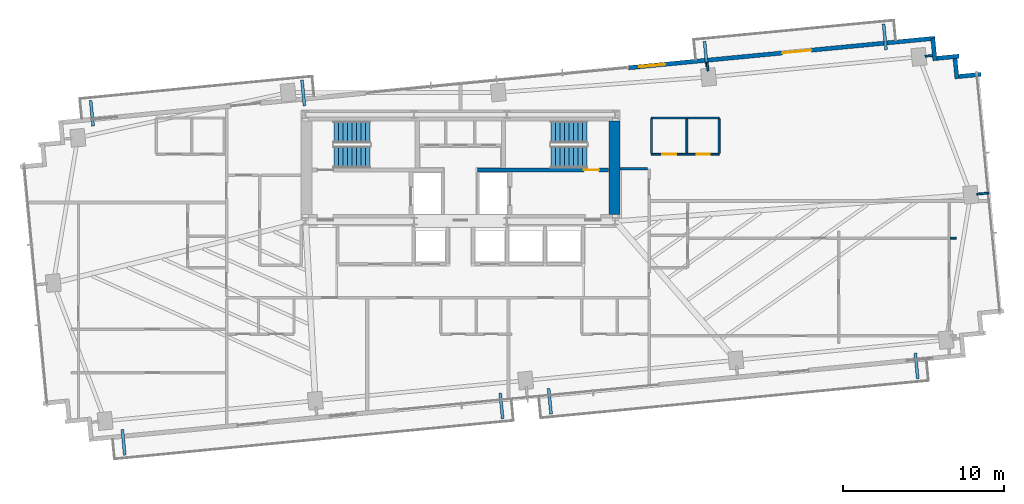
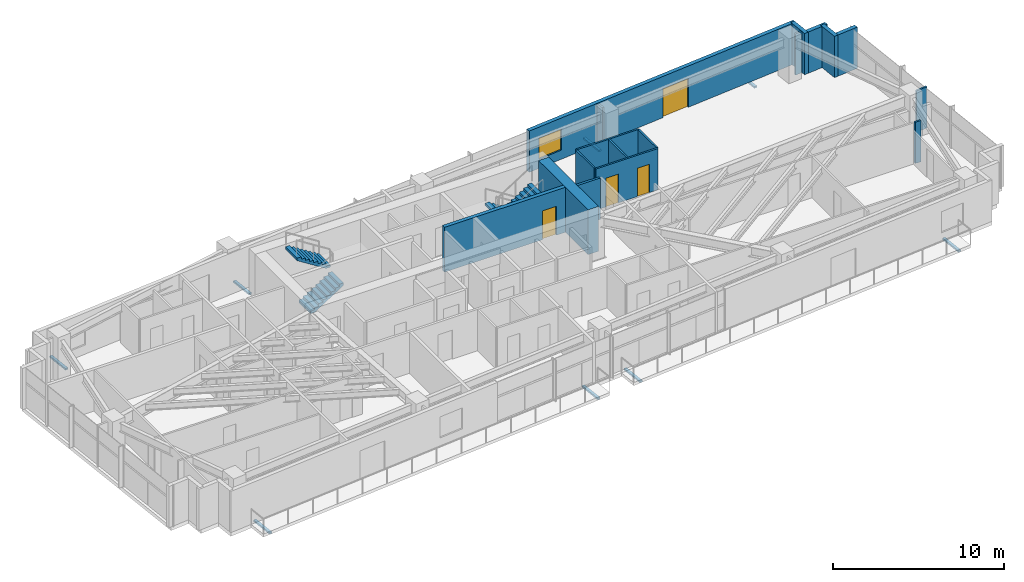
# One storey, part 24 of 27: 17 walls, 8 discrete accessories, 4 doors, 4 stair flights, 1 window, 5 openings, 2 elements without a shape of their own.
"""IFC4 building model written with IfcOpenShell, lengths in metres."""

from ifc_helpers import new_model, si_unit, direction, frame, frame_2d, origin, origin_2d, place, context, subcontext, project, spatial, polyline, rectangle, outline, extrude, source, transform, mapped, material, layer, layer_set, type_object, type_shapes, element, fill, aggregate, save


model = new_model("IFC4")

# Units and contexts
model_context = context("Model", 3, precision=1e-05, world=origin(), true_north=direction((0.0, 1.0)))
body_context = subcontext(model_context, "Body", "Model", "MODEL_VIEW")
ifc_project = project(units=[si_unit("LENGTHUNIT", "METRE"), si_unit("AREAUNIT", "SQUARE_METRE"), si_unit("VOLUMEUNIT", "CUBIC_METRE"), si_unit("PLANEANGLEUNIT", "RADIAN"), si_unit("MASSUNIT", "GRAM", prefix="KILO")], contexts=[model_context])

# Site, building, storey
site_placement = place(None, origin())
site = spatial("IfcSite", under=ifc_project, at=site_placement, CompositionType="ELEMENT")
building_placement = place(site_placement, origin())
building = spatial("IfcBuilding", under=site, at=building_placement, Name="Astriad Promenade Condominiums", CompositionType="ELEMENT")
storey_placement = place(building_placement, frame((0.0, 0.0, 109.800048828125)))
storey = spatial("IfcBuildingStorey", under=building, at=storey_placement, Name="L31", CompositionType="ELEMENT", Elevation=109.800048828125)

# Wall
ifc_material_1 = material(Name="Concrete C60/75", Category="concrete")
ifc_layer_1 = layer(ifc_material_1, 0.699951171875)
ifc_layer_set_1 = layer_set([ifc_layer_1], Name="Concrete C60/75")
wall_type_1 = type_object("IfcWallType", Name="CW-SHEAR-700", PredefinedType="SHEAR", material=ifc_layer_set_1)
wall_1_placement = place(storey_placement, frame((45.550048828125, 17.802001953125, 0.0), z_axis=(0.0, 0.0, 1.0), x_axis=(0.0, 1.0, 0.0)))
element("IfcWall", 1, at=wall_1_placement, inside=storey, type_object=wall_type_1, Name="CW-CORE-E-L31", PredefinedType="SHEAR", context=body_context, shape_type="SweptSolid", body=[
    extrude(rectangle(XDim=5.7958984375, YDim=0.699951171875, at=frame_2d((2.89794921875, 0.0))), origin(), (0.0, 0.0, 1.0), 3.199951171875),
])

# Wall, opening, door
ifc_material_2 = material(Name="Concrete C50/60", Category="concrete")
ifc_layer_2 = layer(ifc_material_2, 0.25)
ifc_layer_set_2 = layer_set([ifc_layer_2], Name="Concrete C50/60")
wall_type_2 = type_object("IfcWallType", Name="WALL-CORE-INT-250", PredefinedType="SOLIDWALL", material=ifc_layer_set_2)
wall_2_placement = place(storey_placement, frame((37.050048828125, 20.574951171875, 0.0), z_axis=(0.0, 0.0, 1.0), x_axis=(1.0, 0.0, 0.0)))
wall_2 = element("IfcWall", 2, at=wall_2_placement, inside=storey, type_object=wall_type_2, Name="CW-INT-H2-L31", PredefinedType="SOLIDWALL", context=body_context, shape_type="SweptSolid", body=[
    extrude(rectangle(XDim=8.14794921875, YDim=0.25, at=frame_2d((4.073974609375, 0.0))), origin(), (0.0, 0.0, 1.0), 3.199951171875),
])
opening_1_placement = place(wall_2_placement, frame((6.60009765625, 0.0, 0.0)))
opening_1 = element("IfcOpeningElement", 3, at=opening_1_placement, cuts=wall_2, Name="Opening FD90-ST-095", PredefinedType="OPENING", context=body_context, shape_type="SweptSolid", body=[
    extrude(rectangle(XDim=0.949951171875, YDim=2.06005859375, at=frame_2d((0.47509765625, 1.030029296875))), frame((0.0, 0.135009765625, 0.0), z_axis=(0.0, -1.0, 0.0), x_axis=(1.0, 0.0, 0.0)), (0.0, 0.0, 1.0), 0.27001953125),
])
ifc_material_3 = material(Name="Fire-Rated Hollow Metal Stair Door")
door_type_1 = type_object("IfcDoorType", Name="FD90-ST-095", OperationType="NOTDEFINED", PredefinedType="DOOR", material=ifc_material_3)
shared_shape_1 = source(origin(), body_context, "Body", "SweptSolid", [
    extrude(rectangle(XDim=0.949951171875, YDim=2.06005859375, at=frame_2d((0.47509765625, 1.030029296875))), frame((0.0, 0.02490234375, 0.0), z_axis=(0.0, -1.0, 0.0), x_axis=(1.0, 0.0, 0.0)), (0.0, 0.0, 1.0), 0.050048828125),
])
type_shapes(door_type_1, [shared_shape_1])
door_1_placement = place(opening_1_placement, origin())
door_1 = element("IfcDoor", 4, at=door_1_placement, inside=storey, type_object=door_type_1, Name="D-ST2-L31", OperationType="SINGLE_SWING_LEFT", OverallHeight=2.06005859375, OverallWidth=0.949951171875, PredefinedType="DOOR", context=body_context, shape_type="MappedRepresentation", body=[
    mapped(shared_shape_1, transform((0.0, 0.0, 0.0), scale=1.0)),
])
fill(opening_1, door_1)

# Wall
ifc_material_4 = material(Name="Fire-Rated Gypsum Partition")
ifc_layer_3 = layer(ifc_material_4, 0.159912109375)
ifc_layer_set_3 = layer_set([ifc_layer_3], Name="Fire-Rated Gypsum Partition")
wall_type_3 = type_object("IfcWallType", Name="WALL-CORR-160", PredefinedType="PARTITIONING", material=ifc_layer_set_3)
wall_3_placement = place(storey_placement, frame((45.902099609375, 20.64990234375, 0.0), z_axis=(0.0, 0.0, 1.0), x_axis=(1.0, 0.0, 0.0)))
element("IfcWall", 5, at=wall_3_placement, inside=storey, type_object=wall_type_3, Name="PT-Z3E-N-L31", PredefinedType="PARTITIONING", context=body_context, shape_type="SweptSolid", body=[
    extrude(rectangle(XDim=1.7158203125, YDim=0.159912109375, at=frame_2d((0.85791015625, 0.0))), origin(), (0.0, 0.0, 1.0), 2.93994140625),
])

# Wall, openings, door, window
ifc_material_5 = material(Name="Precast concrete C50/60", Category="concrete")
ifc_layer_4 = layer(ifc_material_5, 0.260009765625)
ifc_layer_set_4 = layer_set([ifc_layer_4], Name="Precast concrete C50/60")
wall_type_4 = type_object("IfcWallType", Name="WALL-EXT-TWR-260", PredefinedType="STANDARD", material=ifc_layer_set_4)
wall_4_placement = place(storey_placement, frame((46.40625, 26.90966796875, 0.0), z_axis=(0.0, 0.0, 1.0), x_axis=(0.995396638587, 0.095841180552, 0.0)))
wall_4 = element("IfcWall", 6, at=wall_4_placement, inside=storey, type_object=wall_type_4, Name="W-EXT-L31-N2", PredefinedType="STANDARD", context=body_context, shape_type="SweptSolid", body=[
    extrude(rectangle(XDim=19.110107421875, YDim=0.260009765625, at=frame_2d((9.55517578125, 0.0))), origin(), (0.0, 0.0, 1.0), 2.93994140625),
])
opening_2_placement = place(wall_4_placement, frame((9.60009765625, 0.0, 0.0)))
opening_2 = element("IfcOpeningElement", 7, at=opening_2_placement, cuts=wall_4, Name="Opening BD-1822-SLD", PredefinedType="OPENING", context=body_context, shape_type="SweptSolid", body=[
    extrude(rectangle(XDim=1.800048828125, YDim=2.06005859375, at=frame_2d((0.89990234375, 1.030029296875))), frame((0.0, 0.139892578125, 0.0), z_axis=(0.0, -1.0, 0.0), x_axis=(1.0, 0.0, 0.0)), (0.0, 0.0, 1.0), 0.280029296875),
])
opening_3_placement = place(wall_4_placement, frame((0.699951171875, 0.0, 0.64990234375)))
opening_3 = element("IfcOpeningElement", 8, at=opening_3_placement, cuts=wall_4, Name="Opening WIN-TWR-1620", PredefinedType="OPENING", context=body_context, shape_type="SweptSolid", body=[
    extrude(rectangle(XDim=1.60009765625, YDim=1.5, at=frame_2d((0.800048828125, 0.75))), frame((0.0, 0.139892578125, 0.0), z_axis=(0.0, -1.0, 0.0), x_axis=(1.0, 0.0, 0.0)), (0.0, 0.0, 1.0), 0.280029296875),
])
ifc_material_6 = material(Name="Thermally Broken Aluminium Sliding Balcony Door", Category="aluminium")
door_type_2 = type_object("IfcDoorType", Name="BD-1822-SLD", OperationType="NOTDEFINED", PredefinedType="DOOR", material=ifc_material_6)
shared_shape_2 = source(origin(), body_context, "Body", "SweptSolid", [
    extrude(rectangle(XDim=1.800048828125, YDim=2.06005859375, at=frame_2d((0.89990234375, 1.030029296875))), frame((0.0, 0.02490234375, 0.0), z_axis=(0.0, -1.0, 0.0), x_axis=(1.0, 0.0, 0.0)), (0.0, 0.0, 1.0), 0.050048828125),
])
type_shapes(door_type_2, [shared_shape_2])
door_2_placement = place(opening_2_placement, origin())
door_2 = element("IfcDoor", 9, at=door_2_placement, inside=storey, type_object=door_type_2, Name="BD-L31-NE", OperationType="SLIDING_TO_RIGHT", OverallHeight=2.06005859375, OverallWidth=1.800048828125, PredefinedType="DOOR", context=body_context, shape_type="MappedRepresentation", body=[
    mapped(shared_shape_2, transform((0.0, 0.0, 0.0), scale=1.0)),
])
fill(opening_2, door_2)
ifc_material_7 = material(Name="Dark Tinted Triple-Glazed Aluminium Window", Category="aluminium")
window_type = type_object("IfcWindowType", Name="WIN-TWR-1620", PartitioningType="SINGLE_PANEL", PredefinedType="WINDOW", material=ifc_material_7)
shared_shape_3 = source(origin(), body_context, "Body", "SweptSolid", [
    extrude(rectangle(XDim=1.60009765625, YDim=1.5, at=frame_2d((0.800048828125, 0.75))), frame((0.0, 0.030029296875, 0.0), z_axis=(0.0, -1.0, 0.0), x_axis=(1.0, 0.0, 0.0)), (0.0, 0.0, 1.0), 0.06005859375),
])
type_shapes(window_type, [shared_shape_3])
window_placement = place(opening_3_placement, origin())
window = element("IfcWindow", 10, at=window_placement, inside=storey, type_object=window_type, Name="WIN-L31-NE", OverallHeight=1.5, OverallWidth=1.60009765625, PartitioningType="SINGLE_PANEL", PredefinedType="WINDOW", context=body_context, shape_type="MappedRepresentation", body=[
    mapped(shared_shape_3, transform((0.0, 0.0, 0.0), scale=1.0)),
])
fill(opening_3, window)

# Walls
for number, where, z_axis, x_axis, name in (
    (11, (65.297607421875, 28.74365234375, 0.0), (0.0, 0.0, 1.0), (0.095725744959, -0.99540774648, 0.0), "W-SER-L31-09"),
    (12, (65.533203125, 27.49560546875, 0.0), (0.0, 0.0, 1.0), (0.99540774648, 0.095725744959, 0.0), "W-SER-L31-10"),
):
    element("IfcWall", number, at=place(storey_placement, frame(where, z_axis=z_axis, x_axis=x_axis)), inside=storey, type_object=wall_type_4, Name=name, PredefinedType="STANDARD", context=body_context, shape_type="SweptSolid", body=[
        extrude(rectangle(XDim=1.39501953125, YDim=0.260009765625, at=frame_2d((0.697509765625, 0.0))), origin(), (0.0, 0.0, 1.0), 2.93994140625),
    ])
wall_5_placement = place(storey_placement, frame((66.66162109375, 27.619140625, 0.0), z_axis=(0.0, 0.0, 1.0), x_axis=(0.095742423056, -0.99540614245, 0.0)))
element("IfcWall", 13, at=wall_5_placement, inside=storey, type_object=wall_type_4, Name="W-SER-L31-11", PredefinedType="STANDARD", context=body_context, shape_type="SweptSolid", body=[
    extrude(rectangle(XDim=1.394775390625, YDim=0.260009765625, at=frame_2d((0.697265625, 0.0))), origin(), (0.0, 0.0, 1.0), 2.93994140625),
])
wall_6_placement = place(storey_placement, frame((66.897216796875, 26.37109375, 0.0), z_axis=(0.0, 0.0, 1.0), x_axis=(0.995391056452, 0.09589913835, 0.0)))
element("IfcWall", 14, at=wall_6_placement, inside=storey, type_object=wall_type_4, Name="W-SER-L31-12", PredefinedType="STANDARD", context=body_context, shape_type="SweptSolid", body=[
    extrude(rectangle(XDim=1.39501953125, YDim=0.260009765625, at=frame_2d((0.697509765625, 0.0))), origin(), (0.0, 0.0, 1.0), 2.93994140625),
])
ifc_material_8 = material(Name="Acoustic Metal-Stud Gypsum Partition")
ifc_layer_5 = layer(ifc_material_8, 0.1201171875)
ifc_layer_set_5 = layer_set([ifc_layer_5], Name="Acoustic Metal-Stud Gypsum Partition")
wall_type_5 = type_object("IfcWallType", Name="WALL-PART-120", PredefinedType="PARTITIONING", material=ifc_layer_set_5)
wall_7_placement = place(storey_placement, frame((66.3779296875, 16.35009765625, 0.0), z_axis=(0.0, 0.0, 1.0), x_axis=(1.0, 0.0, 0.0)))
element("IfcWall", 15, at=wall_7_placement, inside=storey, type_object=wall_type_5, Name="PT-L31-E1-WDN2-S2", PredefinedType="PARTITIONING", context=body_context, shape_type="SweptSolid", body=[
    extrude(rectangle(XDim=0.378173828125, YDim=0.1201171875, at=frame_2d((0.18896484375, 0.0))), origin(), (0.0, 0.0, 1.0), 2.93994140625),
])

# Wall, openings, doors
wall_8_placement = place(storey_placement, frame((47.85009765625, 21.550048828125, 0.0), z_axis=(0.0, 0.0, 1.0), x_axis=(1.0, 0.0, 0.0)))
wall_8 = element("IfcWall", 16, at=wall_8_placement, inside=storey, type_object=wall_type_5, Name="PT-L31-E2-PH", PredefinedType="PARTITIONING", context=body_context, shape_type="SweptSolid", body=[
    extrude(rectangle(XDim=4.199951171875, YDim=0.1201171875, at=frame_2d((2.10009765625, 0.0))), origin(), (0.0, 0.0, 1.0), 2.93994140625),
])
opening_4_placement = place(wall_8_placement, frame((0.675048828125, 0.0, 0.0)))
opening_4 = element("IfcOpeningElement", 17, at=opening_4_placement, cuts=wall_8, Name="Opening D-INT-085", PredefinedType="OPENING", context=body_context, shape_type="SweptSolid", body=[
    extrude(rectangle(XDim=0.85009765625, YDim=2.050048828125, at=frame_2d((0.425048828125, 1.02490234375))), frame((0.0, 0.070068359375, 0.0), z_axis=(0.0, -1.0, 0.0), x_axis=(1.0, 0.0, 0.0)), (0.0, 0.0, 1.0), 0.14013671875),
])
opening_5_placement = place(wall_8_placement, frame((2.800048828125, 0.0, 0.0)))
opening_5 = element("IfcOpeningElement", 18, at=opening_5_placement, cuts=wall_8, Name="Opening D-WET-080", PredefinedType="OPENING", context=body_context, shape_type="SweptSolid", body=[
    extrude(rectangle(XDim=0.800048828125, YDim=2.02001953125, at=frame_2d((0.39990234375, 1.010009765625))), frame((0.0, 0.070068359375, 0.0), z_axis=(0.0, -1.0, 0.0), x_axis=(1.0, 0.0, 0.0)), (0.0, 0.0, 1.0), 0.14013671875),
])
ifc_material_9 = material(Name="Moisture-Resistant Timber Bathroom Door", Category="wood")
door_type_3 = type_object("IfcDoorType", Name="D-WET-080", OperationType="NOTDEFINED", PredefinedType="DOOR", material=ifc_material_9)
shared_shape_4 = source(origin(), body_context, "Body", "SweptSolid", [
    extrude(rectangle(XDim=0.800048828125, YDim=2.02001953125, at=frame_2d((0.39990234375, 1.010009765625))), frame((0.0, 0.02490234375, 0.0), z_axis=(0.0, -1.0, 0.0), x_axis=(1.0, 0.0, 0.0)), (0.0, 0.0, 1.0), 0.050048828125),
])
type_shapes(door_type_3, [shared_shape_4])
door_3_placement = place(opening_5_placement, origin())
door_3 = element("IfcDoor", 19, at=door_3_placement, inside=storey, type_object=door_type_3, Name="D-BTH-L31-E2", OperationType="SINGLE_SWING_LEFT", OverallHeight=2.02001953125, OverallWidth=0.800048828125, PredefinedType="DOOR", context=body_context, shape_type="MappedRepresentation", body=[
    mapped(shared_shape_4, transform((0.0, 0.0, 0.0), scale=1.0)),
])
fill(opening_5, door_3)
ifc_material_10 = material(Name="Painted Solid-Core Timber Room Door", Category="wood")
door_type_4 = type_object("IfcDoorType", Name="D-INT-085", OperationType="NOTDEFINED", PredefinedType="DOOR", material=ifc_material_10)
shared_shape_5 = source(origin(), body_context, "Body", "SweptSolid", [
    extrude(rectangle(XDim=0.85009765625, YDim=2.050048828125, at=frame_2d((0.425048828125, 1.02490234375))), frame((0.0, 0.02490234375, 0.0), z_axis=(0.0, -1.0, 0.0), x_axis=(1.0, 0.0, 0.0)), (0.0, 0.0, 1.0), 0.050048828125),
])
type_shapes(door_type_4, [shared_shape_5])
door_4_placement = place(opening_4_placement, origin())
door_4 = element("IfcDoor", 20, at=door_4_placement, inside=storey, type_object=door_type_4, Name="D-KIT-L31-E2", OperationType="SINGLE_SWING_RIGHT", OverallHeight=2.050048828125, OverallWidth=0.85009765625, PredefinedType="DOOR", context=body_context, shape_type="MappedRepresentation", body=[
    mapped(shared_shape_5, transform((0.0, 0.0, 0.0), scale=1.0)),
])
fill(opening_4, door_4)

# Walls
wall_9_placement = place(storey_placement, frame((47.85009765625, 23.800048828125, 0.0), z_axis=(0.0, 0.0, 1.0), x_axis=(1.0, 0.0, 0.0)))
element("IfcWall", 21, at=wall_9_placement, inside=storey, type_object=wall_type_5, Name="PT-L31-E2-PHN", PredefinedType="PARTITIONING", context=body_context, shape_type="SweptSolid", body=[
    extrude(rectangle(XDim=4.199951171875, YDim=0.1201171875, at=frame_2d((2.10009765625, 0.0))), origin(), (0.0, 0.0, 1.0), 2.93994140625),
])
for number, where, z_axis, x_axis, name in (
    (22, (47.85009765625, 21.612060546875, 0.0), (0.0, 0.0, 1.0), (0.0, 1.0, 0.0), "PT-L31-E2-PK1"),
    (23, (50.050048828125, 21.612060546875, 0.0), (0.0, 0.0, 1.0), (0.0, 1.0, 0.0), "PT-L31-E2-PK2"),
    (24, (52.050048828125, 21.612060546875, 0.0), (0.0, 0.0, 1.0), (0.0, 1.0, 0.0), "PT-L31-E2-PK3"),
):
    element("IfcWall", number, at=place(storey_placement, frame(where, z_axis=z_axis, x_axis=x_axis)), inside=storey, type_object=wall_type_5, Name=name, PredefinedType="PARTITIONING", context=body_context, shape_type="SweptSolid", body=[
        extrude(rectangle(XDim=2.1259765625, YDim=0.1201171875, at=frame_2d((1.06298828125, 0.0))), origin(), (0.0, 0.0, 1.0), 2.93994140625),
    ])
wall_10_placement = place(storey_placement, frame((51.35791015625, 26.71337890625, 0.0), z_axis=(0.0, 0.0, 1.0), x_axis=(-0.095772948675, 0.995403205893, 0.0)))
element("IfcWall", 25, at=wall_10_placement, inside=storey, type_object=wall_type_5, Name="PT-PIL-L31-PC09-16", PredefinedType="PARTITIONING", context=body_context, shape_type="SweptSolid", body=[
    extrude(rectangle(XDim=0.537841796875, YDim=0.1201171875, at=frame_2d((0.26904296875, 0.0))), origin(), (0.0, 0.0, 1.0), 2.93994140625),
])
wall_11_placement = place(storey_placement, frame((64.812255859375, 27.626953125, 0.0), z_axis=(0.0, 0.0, 1.0), x_axis=(0.995389482415, 0.095915474751, 0.0)))
element("IfcWall", 26, at=wall_11_placement, inside=storey, type_object=wall_type_5, Name="PT-PIL-L31-PC10-17", PredefinedType="PARTITIONING", context=body_context, shape_type="SweptSolid", body=[
    extrude(rectangle(XDim=0.458251953125, YDim=0.1201171875, at=frame_2d((0.22900390625, 0.0))), origin(), (0.0, 0.0, 1.0), 2.93994140625),
])
wall_12_placement = place(storey_placement, frame((68.026611328125, 19.07568359375, 0.0), z_axis=(0.0, 0.0, 1.0), x_axis=(0.995377786728, 0.096036772582, 0.0)))
element("IfcWall", 27, at=wall_12_placement, inside=storey, type_object=wall_type_5, Name="PT-PIL-L31-PC12-19", PredefinedType="PARTITIONING", context=body_context, shape_type="SweptSolid", body=[
    extrude(rectangle(XDim=0.760009765625, YDim=0.1201171875, at=frame_2d((0.3798828125, 0.0))), origin(), (0.0, 0.0, 1.0), 2.93994140625),
])

# Stair, stair flights
stair_type = type_object("IfcStairType", Name="STR-CORE-1350", PredefinedType="HALF_TURN_STAIR", material=ifc_material_2)
stair_1_placement = place(storey_placement, origin())
stair_1 = element("IfcStair", 28, at=stair_1_placement, inside=storey, type_object=stair_type, Name="L31 Enclosed Core Exit Stair ST-1", PredefinedType="HALF_TURN_STAIR")
stair_flight_type = type_object("IfcStairFlightType", Name="SFL-CORE-1350", PredefinedType="STRAIGHT", material=ifc_material_2)
shared_shape_6 = source(origin(), body_context, "Body", "SweptSolid", [
    extrude(outline(polyline([(0.0, 0.0), (0.0, 0.177734375), (0.280029296875, 0.177734375), (0.280029296875, 0.35546875), (0.56005859375, 0.35546875), (0.56005859375, 0.533447265625), (0.840087890625, 0.533447265625), (0.840087890625, 0.711181640625), (1.1201171875, 0.711181640625), (1.1201171875, 0.888916015625), (1.39990234375, 0.888916015625), (1.39990234375, 1.066650390625), (1.679931640625, 1.066650390625), (1.679931640625, 1.244384765625), (1.9599609375, 1.244384765625), (1.9599609375, 1.422119140625), (2.239990234375, 1.422119140625), (2.239990234375, 1.60009765625), (2.239990234375, 1.24462890625), (0.27978515625, 0.0), (0.0, 0.0)])), frame((0.0, 0.675048828125, 0.0), z_axis=(0.0, -1.0, 0.0), x_axis=(1.0, 0.0, 0.0)), (0.0, 0.0, 1.0), 1.35009765625),
])
type_shapes(stair_flight_type, [shared_shape_6])
stair_flight_1_placement = place(storey_placement, frame((28.14990234375, 21.375, 0.0), z_axis=(0.0, 0.0, 1.0), x_axis=(1.0, 0.0, 0.0)))
stair_flight_1 = element("IfcStairFlight", 29, at=stair_flight_1_placement, type_object=stair_flight_type, Name="ST-1 flight 1", NumberOfRisers=9, NumberOfTreads=8, PredefinedType="STRAIGHT", RiserHeight=0.177777778, TreadLength=0.28, context=body_context, shape_type="MappedRepresentation", body=[
    mapped(shared_shape_6, transform((0.0, 0.0, 0.0), scale=1.0)),
])
stair_flight_2_placement = place(storey_placement, frame((30.389892578125, 22.925048828125, 1.599853515625), z_axis=(0.0, 0.0, 1.0), x_axis=(-1.0, 0.0, 0.0)))
stair_flight_2 = element("IfcStairFlight", 30, at=stair_flight_2_placement, type_object=stair_flight_type, Name="ST-1 flight 2", NumberOfRisers=9, NumberOfTreads=8, PredefinedType="STRAIGHT", RiserHeight=0.177777778, TreadLength=0.28, context=body_context, shape_type="MappedRepresentation", body=[
    mapped(shared_shape_6, transform((0.0, 0.0, 0.0), scale=1.0)),
])
aggregate(stair_1, [stair_flight_1, stair_flight_2])

stair_2_placement = place(storey_placement, origin())
stair_2 = element("IfcStair", 31, at=stair_2_placement, inside=storey, type_object=stair_type, Name="L31 Enclosed Core Exit Stair ST-2", PredefinedType="HALF_TURN_STAIR")
stair_flight_3_placement = place(storey_placement, frame((43.85009765625, 22.925048828125, 0.0), z_axis=(0.0, 0.0, 1.0), x_axis=(-1.0, 0.0, 0.0)))
stair_flight_3 = element("IfcStairFlight", 32, at=stair_flight_3_placement, type_object=stair_flight_type, Name="ST-2 flight 1", NumberOfRisers=9, NumberOfTreads=8, PredefinedType="STRAIGHT", RiserHeight=0.177777778, TreadLength=0.28, context=body_context, shape_type="MappedRepresentation", body=[
    mapped(shared_shape_6, transform((0.0, 0.0, 0.0), scale=1.0)),
])
stair_flight_4_placement = place(storey_placement, frame((41.610107421875, 21.375, 1.599853515625), z_axis=(0.0, 0.0, 1.0), x_axis=(1.0, 0.0, 0.0)))
stair_flight_4 = element("IfcStairFlight", 33, at=stair_flight_4_placement, type_object=stair_flight_type, Name="ST-2 flight 2", NumberOfRisers=9, NumberOfTreads=8, PredefinedType="STRAIGHT", RiserHeight=0.177777778, TreadLength=0.28, context=body_context, shape_type="MappedRepresentation", body=[
    mapped(shared_shape_6, transform((0.0, 0.0, 0.0), scale=1.0)),
])
aggregate(stair_2, [stair_flight_3, stair_flight_4])

# Discrete accessories
ifc_material_11 = material(Name="Steel ASTM A572 Grade 50", Category="steel")
discrete_accessory_type = type_object("IfcDiscreteAccessoryType", Name="STEEL BALCONY OUTRIGGER BRACKET", PredefinedType="BRACKET", material=ifc_material_11)
shared_shape_7 = source(origin(), body_context, "Body", "SweptSolid", [
    extrude(rectangle(XDim=1.60009765625, YDim=0.179931640625, at=origin_2d()), origin(), (0.0, 0.0, 1.0), 0.1220703125),
])
type_shapes(discrete_accessory_type, [shared_shape_7])
for number, where, z_axis, x_axis, name in (
    (34, (15.1123046875, 3.68310546875, -0.340087890625), (0.0, 0.0, 1.0), (0.09584575252, -0.995396198367, 0.0), "Balcony Outrigger Bracket BAL-L31-SW-A"),
    (35, (38.5458984375, 5.939697265625, -0.340087890625), (0.0, 0.0, 1.0), (0.09584575252, -0.995396198367, 0.0), "Balcony Outrigger Bracket BAL-L31-SW-B"),
    (36, (41.548095703125, 6.228759765625, -0.340087890625), (0.0, 0.0, 1.0), (0.09584575252, -0.995396198367, 0.0), "Balcony Outrigger Bracket BAL-L31-SE-A"),
    (37, (64.286865234375, 8.418212890625, -0.340087890625), (0.0, 0.0, 1.0), (0.09584575252, -0.995396198367, 0.0), "Balcony Outrigger Bracket BAL-L31-SE-B"),
    (38, (13.1474609375, 24.0888671875, -0.340087890625), (0.0, 0.0, 1.0), (-0.09584575252, 0.995396198367, 0.0), "Balcony Outrigger Bracket BAL-L31-NW-A"),
    (39, (26.2529296875, 25.3505859375, -0.340087890625), (0.0, 0.0, 1.0), (-0.09584575252, 0.995396198367, 0.0), "Balcony Outrigger Bracket BAL-L31-NW-B"),
    (40, (51.217529296875, 27.754638671875, -0.340087890625), (0.0, 0.0, 1.0), (-0.09584575252, 0.995396198367, 0.0), "Balcony Outrigger Bracket BAL-L31-NE-A"),
    (41, (62.322021484375, 28.82373046875, -0.340087890625), (0.0, 0.0, 1.0), (-0.09584575252, 0.995396198367, 0.0), "Balcony Outrigger Bracket BAL-L31-NE-B"),
):
    element("IfcDiscreteAccessory", number, at=place(storey_placement, frame(where, z_axis=z_axis, x_axis=x_axis)), inside=storey, type_object=discrete_accessory_type, Name=name, PredefinedType="BRACKET", context=body_context, shape_type="MappedRepresentation", body=[
        mapped(shared_shape_7, transform((0.0, 0.0, 0.0), scale=1.0)),
    ])

save(model, "model.ifc")
